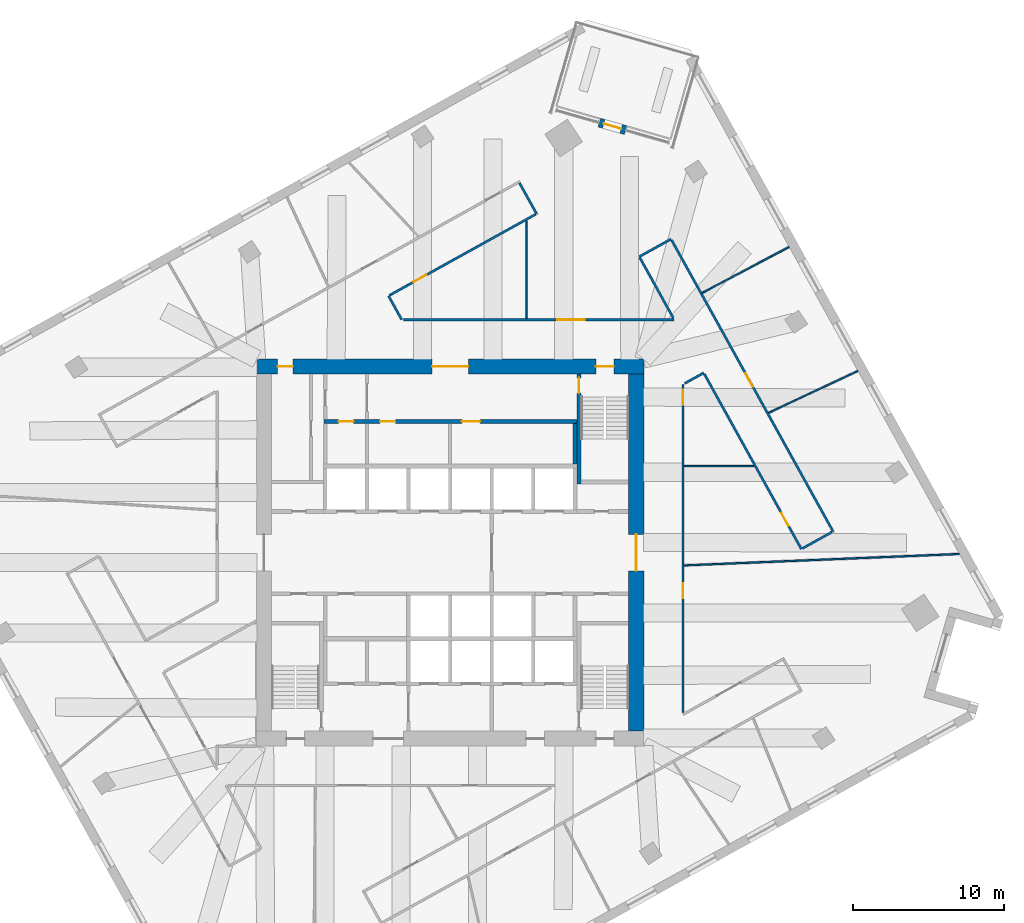
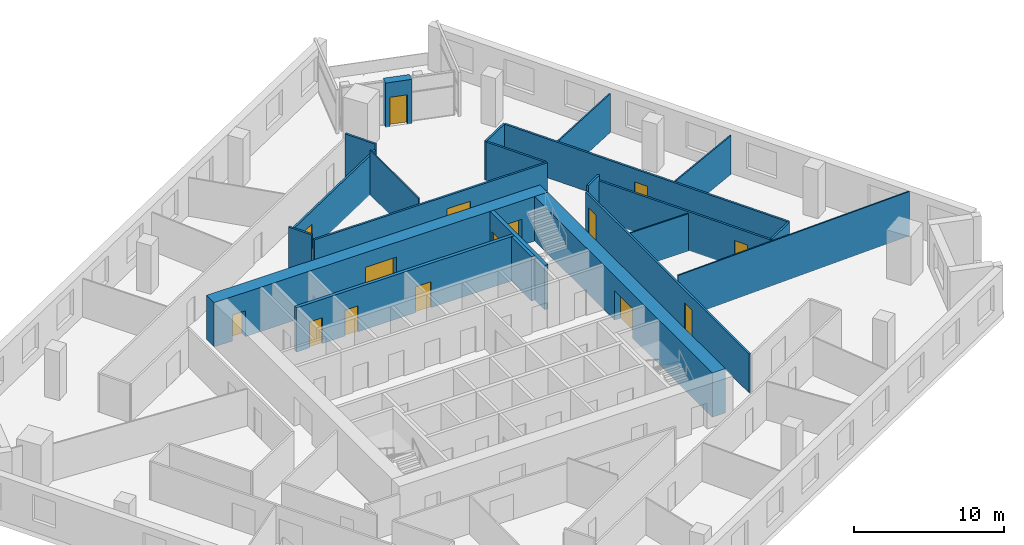
# One storey, part 8 of 11: 22 walls, 15 doors, 15 openings.
"""IFC4 building model written with IfcOpenShell, lengths in metres."""

import ifcopenshell
import ifcopenshell.guid

model = None  # the IFC model being written
_history = None  # IfcOwnerHistory: only IFC2X3 demands one
_inside = {}  # id of a spatial element -> (the spatial element, [elements in it])
_under = {}  # id of a project, library or spatial element -> (it, [spatial elements below it])
_declared = {}  # id of a project -> (the project, [libraries it declares])
_typed = {}  # id of a type object -> (the type object, [elements of that type])
_made_of = {}  # id of a material, layer set ... -> (it, [elements and type objects made of it])


def new_model(schema):
    """Start an empty IFC model of exactly this schema.

    Asked for "IFC4X3", IfcOpenShell would pick the latest addendum, in which some entities
    have other attributes; the version numbers below select the first issue.
    IFC2X3 requires an IfcOwnerHistory on every rooted entity: one is made here for all.
    """
    global model, _history
    if schema == "IFC4X3":
        model = ifcopenshell.file(schema_version=(4, 3, 0, 0))
    else:
        model = ifcopenshell.file(schema=schema)
    _inside.clear()
    _under.clear()
    _declared.clear()
    _typed.clear()
    _made_of.clear()
    _history = None
    if model.schema == "IFC2X3":
        org = make("IfcOrganization", Name="unknown")
        user = make(
            "IfcPersonAndOrganization",
            ThePerson=make("IfcPerson", FamilyName="unknown"),
            TheOrganization=org,
        )
        app = make(
            "IfcApplication",
            ApplicationDeveloper=org,
            Version="unknown",
            ApplicationFullName="unknown",
            ApplicationIdentifier="unknown",
        )
        _history = make(
            "IfcOwnerHistory",
            OwningUser=user,
            OwningApplication=app,
            ChangeAction="ADDED",
            CreationDate=0,
        )
    return model


def make(cls, **values):
    """One entity of the class cls with the attributes given. An attribute that is None is left unset."""
    return model.create_entity(
        cls, **{name: value for name, value in values.items() if value is not None}
    )


def rooted(cls, **values):
    """An entity with a GlobalId (a new one), such as an element, a storey or a relation."""
    return make(cls, GlobalId=ifcopenshell.guid.new(), OwnerHistory=_history, **values)


def si_unit(unit_type, name, prefix=None):
    """IfcSIUnit, for example si_unit("LENGTHUNIT", "METRE", prefix="MILLI")."""
    return make("IfcSIUnit", UnitType=unit_type, Prefix=prefix, Name=name)


def assignment(units):
    """IfcUnitAssignment: the units of a project."""
    return None if units is None else make("IfcUnitAssignment", Units=units)


def point(xyz):
    """IfcCartesianPoint."""
    return None if xyz is None else make("IfcCartesianPoint", Coordinates=xyz)


def direction(xyz):
    """IfcDirection."""
    return None if xyz is None else make("IfcDirection", DirectionRatios=xyz)


def frame(location, z_axis=None, x_axis=None):
    """IfcAxis2Placement3D, a coordinate frame: its origin and axes. An axis left out is left unset."""
    return make(
        "IfcAxis2Placement3D",
        Location=point(location),
        Axis=direction(z_axis),
        RefDirection=direction(x_axis),
    )


def frame_2d(location, x_axis=None):
    """IfcAxis2Placement2D, a coordinate frame in the plane: its origin and x axis."""
    return make(
        "IfcAxis2Placement2D", Location=point(location), RefDirection=direction(x_axis)
    )


def origin():
    """The frame at (0, 0, 0) with its axes left unset."""
    return frame((0.0, 0.0, 0.0))


def place(relative_to, where):
    """IfcLocalPlacement: puts the frame where relative to a parent placement (None: the world)."""
    return make(
        "IfcLocalPlacement", PlacementRelTo=relative_to, RelativePlacement=where
    )


def context(
    kind, dimensions, precision=None, world=None, true_north=None, identifier=None
):
    """IfcGeometricRepresentationContext, for example the 3D "Model" context."""
    return make(
        "IfcGeometricRepresentationContext",
        ContextIdentifier=identifier,
        ContextType=kind,
        CoordinateSpaceDimension=dimensions,
        Precision=precision,
        WorldCoordinateSystem=world,
        TrueNorth=true_north,
    )


def subcontext(parent, identifier, kind, view, scale=None):
    """IfcGeometricRepresentationSubContext, for example "Body" below "Model"."""
    return make(
        "IfcGeometricRepresentationSubContext",
        ContextIdentifier=identifier,
        ContextType=kind,
        ParentContext=parent,
        TargetScale=scale,
        TargetView=view,
    )


def project(units=None, contexts=None):
    """IfcProject with its units and contexts."""
    return rooted(
        "IfcProject",
        Name="project",
        RepresentationContexts=contexts,
        UnitsInContext=assignment(units),
    )


def spatial(cls, under=None, at=None, **own):
    """A site, building, storey or space (cls), placed at a placement, below another one or the project."""
    s = rooted(cls, ObjectPlacement=at, **own)
    if under is not None:
        _under.setdefault(under.id(), (under, []))[1].append(s)
    return s


def profile(cls, at=None, kind="AREA", **sizes):
    """A parametric profile (cls). Its sizes go by their IFC names, for example OverallWidth=200.0."""
    return make(cls, ProfileType=kind, Position=at, **sizes)


def rectangle(**sizes):
    """IfcRectangleProfileDef."""
    return profile("IfcRectangleProfileDef", **sizes)


def extrude(swept, where, along, depth):
    """IfcExtrudedAreaSolid: the profile swept, set in the frame where, extruded along a direction by depth."""
    return make(
        "IfcExtrudedAreaSolid",
        SweptArea=swept,
        Position=where,
        ExtrudedDirection=direction(along),
        Depth=depth,
    )


def shape(context_of_items, identifier, shape_type, items):
    """IfcShapeRepresentation: the items that make up one representation, for example the "Body"."""
    return make(
        "IfcShapeRepresentation",
        ContextOfItems=context_of_items,
        RepresentationIdentifier=identifier,
        RepresentationType=shape_type,
        Items=items,
    )


def material(Name=None, Category=None):
    """IfcMaterial."""
    return make("IfcMaterial", Name=Name, Category=Category)


def layer(
    of_material, thickness, ventilated=None, Name=None, Category=None, Priority=None
):
    """IfcMaterialLayer: one layer of a wall or slab, of a material (None: an air gap)."""
    return make(
        "IfcMaterialLayer",
        Material=of_material,
        LayerThickness=thickness,
        IsVentilated=ventilated,
        Name=Name,
        Category=Category,
        Priority=Priority,
    )


def layer_set(layers, Name=None):
    """IfcMaterialLayerSet."""
    return make("IfcMaterialLayerSet", MaterialLayers=layers, LayerSetName=Name)


def made_of(thing, what):
    """Note that an element or type object is made of a material, layer set ...; save() writes the relation."""
    if what is not None:
        _made_of.setdefault(what.id(), (what, []))[1].append(thing)
    return thing


def type_object(cls, material=None, **own):
    """A type object (cls), such as IfcWallType, which elements share."""
    return made_of(rooted(cls, **own), material)


def element(
    cls,
    number,
    at=None,
    inside=None,
    cuts=None,
    type_object=None,
    material=None,
    context=None,
    identifier="Body",
    shape_type=None,
    held_by="IfcProductDefinitionShape",
    body=None,
    shapes=None,
    **own,
):
    """One element of the class cls, such as IfcWall. Its Tag is "e" and its number.

    at: its placement. inside: the storey or other place that contains it. cuts: it is an
    opening in that element (IfcRelVoidsElement). A single representation is given by context,
    identifier, shape_type and body (its items); several are given by shapes. held_by: the class
    of the entity that holds the representations. save() writes the other relations.
    """
    e = rooted(cls, Tag="e%d" % number, ObjectPlacement=at, **own)
    if body is not None:
        shapes = [shape(context, identifier, shape_type, body)]
    if shapes is not None:
        e.Representation = make(held_by, Representations=shapes)
    if inside is not None:
        _inside.setdefault(inside.id(), (inside, []))[1].append(e)
    if cuts is not None:
        rooted(
            "IfcRelVoidsElement", RelatingBuildingElement=cuts, RelatedOpeningElement=e
        )
    if type_object is not None:
        _typed.setdefault(type_object.id(), (type_object, []))[1].append(e)
    return made_of(e, material)


def fill(opening, filler):
    """IfcRelFillsElement: the door or window that sits in an opening."""
    return rooted(
        "IfcRelFillsElement",
        RelatingOpeningElement=opening,
        RelatedBuildingElement=filler,
    )


def aggregate(whole, parts):
    """IfcRelAggregates: a whole, such as a stair, and the parts it consists of."""
    return rooted("IfcRelAggregates", RelatingObject=whole, RelatedObjects=parts)


def save(model, path):
    """Write the relations noted so far, then the file.

    IfcRelAggregates (storeys below a building ...), IfcRelContainedInSpatialStructure (elements
    in a storey), IfcRelDefinesByType, IfcRelAssociatesMaterial and IfcRelDeclares: one each for
    every whole, place, type object, material and project.
    """
    for whole, parts in _under.values():
        aggregate(whole, parts)
    for where, things in _inside.values():
        rooted(
            "IfcRelContainedInSpatialStructure",
            RelatedElements=things,
            RelatingStructure=where,
        )
    for kind, things in _typed.values():
        rooted("IfcRelDefinesByType", RelatedObjects=things, RelatingType=kind)
    for what, things in _made_of.values():
        rooted("IfcRelAssociatesMaterial", RelatedObjects=things, RelatingMaterial=what)
    for by, libraries in _declared.values():
        rooted("IfcRelDeclares", RelatingContext=by, RelatedDefinitions=libraries)
    model.write(path)


model = new_model("IFC4")

# Units and contexts
model_context = context("Model", 3, precision=1e-05, world=origin(), true_north=direction((0.0, 1.0)))
body_context = subcontext(model_context, "Body", "Model", "MODEL_VIEW")
ifc_project = project(units=[si_unit("LENGTHUNIT", "METRE"), si_unit("AREAUNIT", "SQUARE_METRE"), si_unit("VOLUMEUNIT", "CUBIC_METRE"), si_unit("PLANEANGLEUNIT", "RADIAN"), si_unit("MASSUNIT", "GRAM", prefix="KILO")], contexts=[model_context])

# Site, building, storey
site_placement = place(None, origin())
site = spatial("IfcSite", under=ifc_project, at=site_placement, CompositionType="ELEMENT")
building_placement = place(site_placement, origin())
building = spatial("IfcBuilding", under=site, at=building_placement, Name="Dilmun Exchange Tower", CompositionType="ELEMENT")
storey_placement = place(building_placement, frame((0.0, 0.0, 135.699951171875)))
storey = spatial("IfcBuildingStorey", under=building, at=storey_placement, Name="L31", CompositionType="ELEMENT", Elevation=135.699951171875)

# Wall
ifc_material_1 = material(Name="Concrete C40/50", Category="concrete")
ifc_layer_1 = layer(ifc_material_1, 0.25)
ifc_layer_set_1 = layer_set([ifc_layer_1], Name="Concrete C40/50")
wall_type_1 = type_object("IfcWallType", Name="Core partition wall 250", PredefinedType="PARTITIONING", material=ifc_layer_set_1)
wall_1_placement = place(storey_placement, frame((8.25, 5.85498046875, 0.0), z_axis=(0.0, 0.0, 1.0), x_axis=(0.0, 1.0, 0.0)))
element("IfcWall", 1, at=wall_1_placement, inside=storey, type_object=wall_type_1, Name="L31 core partition wall 19", PredefinedType="PARTITIONING", context=body_context, shape_type="SweptSolid", body=[
    extrude(rectangle(XDim=2.68994140625, YDim=0.25, at=frame_2d((1.344970703125, 0.0))), origin(), (0.0, 0.0, 1.0), 3.60009765625),
])

# Wall, openings, doors
wall_2_placement = place(storey_placement, frame((-8.35009765625, 8.675048828125, 0.0), z_axis=(0.0, 0.0, 1.0), x_axis=(1.0, 0.0, 0.0)))
wall_2 = element("IfcWall", 2, at=wall_2_placement, inside=storey, type_object=wall_type_1, Name="L31 core partition wall 20", PredefinedType="PARTITIONING", context=body_context, shape_type="SweptSolid", body=[
    extrude(rectangle(XDim=16.72021484375, YDim=0.25, at=frame_2d((8.360107421875, 0.0))), origin(), (0.0, 0.0, 1.0), 3.60009765625),
])
opening_1_placement = place(wall_2_placement, frame((0.97509765625, 0.0, 0.0)))
opening_1 = element("IfcOpeningElement", 3, at=opening_1_placement, cuts=wall_2, Name="Opening CD4", PredefinedType="OPENING", context=body_context, shape_type="SweptSolid", body=[
    extrude(rectangle(XDim=1.0, YDim=2.10009765625, at=frame_2d((0.5, 1.050048828125))), frame((0.0, 0.135009765625, 0.0), z_axis=(0.0, -1.0, 0.0), x_axis=(1.0, 0.0, 0.0)), (0.0, 0.0, 1.0), 0.27001953125),
])
opening_2_placement = place(wall_2_placement, frame((3.72509765625, 0.0, 0.0)))
opening_2 = element("IfcOpeningElement", 4, at=opening_2_placement, cuts=wall_2, Name="Opening CD4", PredefinedType="OPENING", context=body_context, shape_type="SweptSolid", body=[
    extrude(rectangle(XDim=1.0, YDim=2.10009765625, at=frame_2d((0.5, 1.050048828125))), frame((0.0, 0.135009765625, 0.0), z_axis=(0.0, -1.0, 0.0), x_axis=(1.0, 0.0, 0.0)), (0.0, 0.0, 1.0), 0.27001953125),
])
opening_3_placement = place(wall_2_placement, frame((9.125, 0.0, 0.0)))
opening_3 = element("IfcOpeningElement", 5, at=opening_3_placement, cuts=wall_2, Name="Opening CD3", PredefinedType="OPENING", context=body_context, shape_type="SweptSolid", body=[
    extrude(rectangle(XDim=1.199951171875, YDim=2.10009765625, at=frame_2d((0.60009765625, 1.050048828125))), frame((0.0, 0.135009765625, 0.0), z_axis=(0.0, -1.0, 0.0), x_axis=(1.0, 0.0, 0.0)), (0.0, 0.0, 1.0), 0.27001953125),
])
ifc_material_2 = material(Name="Fire-rated steel door set", Category="steel")
door_type_1 = type_object("IfcDoorType", Name="Core room door 1000x2100", OperationType="SINGLE_SWING_LEFT", PredefinedType="DOOR", material=ifc_material_2)
door_1_placement = place(opening_1_placement, origin())
door_1 = element("IfcDoor", 6, at=door_1_placement, inside=storey, type_object=door_type_1, Name="L31 door Server room", OperationType="SINGLE_SWING_RIGHT", OverallHeight=2.10009765625, OverallWidth=1.0, PredefinedType="DOOR", context=body_context, shape_type="SweptSolid", body=[
    extrude(rectangle(XDim=1.0, YDim=2.10009765625, at=frame_2d((0.5, 1.050048828125))), frame((0.0, 0.02490234375, 0.0), z_axis=(0.0, -1.0, 0.0), x_axis=(1.0, 0.0, 0.0)), (0.0, 0.0, 1.0), 0.050048828125),
])
fill(opening_1, door_1)
door_2_placement = place(opening_2_placement, origin())
door_2 = element("IfcDoor", 7, at=door_2_placement, inside=storey, type_object=door_type_1, Name="L31 door Print and mail room", OperationType="SINGLE_SWING_RIGHT", OverallHeight=2.10009765625, OverallWidth=1.0, PredefinedType="DOOR", context=body_context, shape_type="SweptSolid", body=[
    extrude(rectangle(XDim=1.0, YDim=2.10009765625, at=frame_2d((0.5, 1.050048828125))), frame((0.0, 0.02490234375, 0.0), z_axis=(0.0, -1.0, 0.0), x_axis=(1.0, 0.0, 0.0)), (0.0, 0.0, 1.0), 0.050048828125),
])
fill(opening_2, door_2)
door_type_2 = type_object("IfcDoorType", Name="Stair exit door 1200x2100", OperationType="SINGLE_SWING_LEFT", PredefinedType="DOOR", material=ifc_material_2)
door_3_placement = place(opening_3_placement, origin())
door_3 = element("IfcDoor", 8, at=door_3_placement, inside=storey, type_object=door_type_2, Name="L31 door Building management office", OperationType="SINGLE_SWING_LEFT", OverallHeight=2.10009765625, OverallWidth=1.199951171875, PredefinedType="DOOR", context=body_context, shape_type="SweptSolid", body=[
    extrude(rectangle(XDim=1.199951171875, YDim=2.10009765625, at=frame_2d((0.60009765625, 1.050048828125))), frame((0.0, 0.02490234375, 0.0), z_axis=(0.0, -1.0, 0.0), x_axis=(1.0, 0.0, 0.0)), (0.0, 0.0, 1.0), 0.050048828125),
])
fill(opening_3, door_3)

ifc_material_3 = material(Name="Concrete C70/85", Category="concrete")
ifc_layer_2 = layer(ifc_material_3, 1.0)
ifc_layer_set_2 = layer_set([ifc_layer_2], Name="Concrete C70/85")
wall_type_2 = type_object("IfcWallType", Name="Core shear wall 1000 Concrete C70/85", PredefinedType="SHEAR", material=ifc_layer_set_2)
wall_3_placement = place(storey_placement, frame((-12.800048828125, 12.300048828125, 0.0), z_axis=(0.0, 0.0, 1.0), x_axis=(1.0, 0.0, 0.0)))
wall_3 = element("IfcWall", 9, at=wall_3_placement, inside=storey, type_object=wall_type_2, Name="L31 core shear wall N", PredefinedType="SHEAR", context=body_context, shape_type="SweptSolid", body=[
    extrude(rectangle(XDim=25.60009765625, YDim=1.0, at=frame_2d((12.800048828125, 0.0))), origin(), (0.0, 0.0, 1.0), 3.60009765625),
])
opening_4_placement = place(wall_3_placement, frame((11.60009765625, 0.0, 0.0)))
opening_4 = element("IfcOpeningElement", 10, at=opening_4_placement, cuts=wall_3, Name="Opening CD1", PredefinedType="OPENING", context=body_context, shape_type="SweptSolid", body=[
    extrude(rectangle(XDim=2.39990234375, YDim=2.39990234375, at=frame_2d((1.199951171875, 1.199951171875))), frame((0.0, 0.510009765625, 0.0), z_axis=(0.0, -1.0, 0.0), x_axis=(1.0, 0.0, 0.0)), (0.0, 0.0, 1.0), 1.02001953125),
])
opening_5_placement = place(wall_3_placement, frame((22.425048828125, 0.0, 0.0)))
opening_5 = element("IfcOpeningElement", 11, at=opening_5_placement, cuts=wall_3, Name="Opening CD3", PredefinedType="OPENING", context=body_context, shape_type="SweptSolid", body=[
    extrude(rectangle(XDim=1.199951171875, YDim=2.10009765625, at=frame_2d((0.60009765625, 1.050048828125))), frame((0.0, 0.510009765625, 0.0), z_axis=(0.0, -1.0, 0.0), x_axis=(1.0, 0.0, 0.0)), (0.0, 0.0, 1.0), 1.02001953125),
])
opening_6_placement = place(wall_3_placement, frame((1.39990234375, 0.0, 0.0)))
opening_6 = element("IfcOpeningElement", 12, at=opening_6_placement, cuts=wall_3, Name="Opening CD4", PredefinedType="OPENING", context=body_context, shape_type="SweptSolid", body=[
    extrude(rectangle(XDim=1.0, YDim=2.10009765625, at=frame_2d((0.5, 1.050048828125))), frame((0.0, 0.510009765625, 0.0), z_axis=(0.0, -1.0, 0.0), x_axis=(1.0, 0.0, 0.0)), (0.0, 0.0, 1.0), 1.02001953125),
])
door_type_3 = type_object("IfcDoorType", Name="Core lobby door 2400x2400", OperationType="DOUBLE_DOOR_DOUBLE_SWING", PredefinedType="DOOR", material=ifc_material_2)
door_4_placement = place(opening_4_placement, origin())
door_4 = element("IfcDoor", 13, at=door_4_placement, inside=storey, type_object=door_type_3, Name="L31 door North lift lobby", OperationType="SINGLE_SWING_LEFT", OverallHeight=2.39990234375, OverallWidth=2.39990234375, PredefinedType="DOOR", context=body_context, shape_type="SweptSolid", body=[
    extrude(rectangle(XDim=2.39990234375, YDim=2.39990234375, at=frame_2d((1.199951171875, 1.199951171875))), frame((0.0, 0.02490234375, 0.0), z_axis=(0.0, -1.0, 0.0), x_axis=(1.0, 0.0, 0.0)), (0.0, 0.0, 1.0), 0.050048828125),
])
fill(opening_4, door_4)
door_5_placement = place(opening_6_placement, origin())
door_5 = element("IfcDoor", 14, at=door_5_placement, inside=storey, type_object=door_type_1, Name="L31 door North-west core rooms", OperationType="SINGLE_SWING_LEFT", OverallHeight=2.10009765625, OverallWidth=1.0, PredefinedType="DOOR", context=body_context, shape_type="SweptSolid", body=[
    extrude(rectangle(XDim=1.0, YDim=2.10009765625, at=frame_2d((0.5, 1.050048828125))), frame((0.0, 0.02490234375, 0.0), z_axis=(0.0, -1.0, 0.0), x_axis=(1.0, 0.0, 0.0)), (0.0, 0.0, 1.0), 0.050048828125),
])
fill(opening_6, door_5)
door_6_placement = place(opening_5_placement, origin())
door_6 = element("IfcDoor", 15, at=door_6_placement, inside=storey, type_object=door_type_2, Name="L31 door Stair ST1", OperationType="SINGLE_SWING_LEFT", OverallHeight=2.10009765625, OverallWidth=1.199951171875, PredefinedType="DOOR", context=body_context, shape_type="SweptSolid", body=[
    extrude(rectangle(XDim=1.199951171875, YDim=2.10009765625, at=frame_2d((0.60009765625, 1.050048828125))), frame((0.0, 0.02490234375, 0.0), z_axis=(0.0, -1.0, 0.0), x_axis=(1.0, 0.0, 0.0)), (0.0, 0.0, 1.0), 0.050048828125),
])
fill(opening_5, door_6)

# Wall, opening, door
wall_4_placement = place(storey_placement, frame((12.300048828125, -11.800048828125, 0.0), z_axis=(0.0, 0.0, 1.0), x_axis=(0.0, 1.0, 0.0)))
wall_4 = element("IfcWall", 16, at=wall_4_placement, inside=storey, type_object=wall_type_2, Name="L31 core shear wall E", PredefinedType="SHEAR", context=body_context, shape_type="SweptSolid", body=[
    extrude(rectangle(XDim=23.60009765625, YDim=1.0, at=frame_2d((11.800048828125, 0.0))), origin(), (0.0, 0.0, 1.0), 3.60009765625),
])
opening_7_placement = place(wall_4_placement, frame((10.60009765625, 0.0, 0.0)))
opening_7 = element("IfcOpeningElement", 17, at=opening_7_placement, cuts=wall_4, Name="Opening CD1", PredefinedType="OPENING", context=body_context, shape_type="SweptSolid", body=[
    extrude(rectangle(XDim=2.39990234375, YDim=2.39990234375, at=frame_2d((1.199951171875, 1.199951171875))), frame((0.0, 0.510009765625, 0.0), z_axis=(0.0, -1.0, 0.0), x_axis=(1.0, 0.0, 0.0)), (0.0, 0.0, 1.0), 1.02001953125),
])
door_7_placement = place(opening_7_placement, origin())
door_7 = element("IfcDoor", 18, at=door_7_placement, inside=storey, type_object=door_type_3, Name="L31 door Central lift lobby", OperationType="SINGLE_SWING_LEFT", OverallHeight=2.39990234375, OverallWidth=2.39990234375, PredefinedType="DOOR", context=body_context, shape_type="SweptSolid", body=[
    extrude(rectangle(XDim=2.39990234375, YDim=2.39990234375, at=frame_2d((1.199951171875, 1.199951171875))), frame((0.0, 0.02490234375, 0.0), z_axis=(0.0, -1.0, 0.0), x_axis=(1.0, 0.0, 0.0)), (0.0, 0.0, 1.0), 0.050048828125),
])
fill(opening_7, door_7)

# Wall
ifc_material_4 = material(Name="Corridor wall 150")
ifc_layer_3 = layer(ifc_material_4, 0.14990234375)
ifc_layer_set_3 = layer_set([ifc_layer_3], Name="Corridor wall 150")
wall_type_3 = type_object("IfcWallType", Name="Corridor wall 150", PredefinedType="PARTITIONING", material=ifc_layer_set_3)
wall_5_placement = place(storey_placement, frame((-4.073974609375, 16.972900390625, 0.0), z_axis=(0.0, 0.0, 1.0), x_axis=(0.484870548803, -0.874585931114, 0.0)))
element("IfcWall", 19, at=wall_5_placement, inside=storey, type_object=wall_type_3, Name="Corridor wall", PredefinedType="PARTITIONING", context=body_context, shape_type="SweptSolid", body=[
    extrude(rectangle(XDim=1.798583984375, YDim=0.14990234375, at=frame_2d((0.8994140625, 0.0))), origin(), (0.0, 0.0, 1.0), 3.60009765625),
])

# Wall, opening, door
wall_6_placement = place(storey_placement, frame((-4.00830078125, 17.009521484375, 0.0), z_axis=(0.0, 0.0, 1.0), x_axis=(0.874611645774, 0.484824163049, 0.0)))
wall_6 = element("IfcWall", 20, at=wall_6_placement, inside=storey, type_object=wall_type_3, Name="Corridor wall", PredefinedType="PARTITIONING", context=body_context, shape_type="SweptSolid", body=[
    extrude(rectangle(XDim=11.041259765625, YDim=0.14990234375, at=frame_2d((5.5205078125, 0.0))), origin(), (0.0, 0.0, 1.0), 3.150146484375),
])
opening_8_placement = place(wall_6_placement, frame((1.800048828125, 0.0, 0.0)))
opening_8 = element("IfcOpeningElement", 21, at=opening_8_placement, cuts=wall_6, Name="Opening TF31-D12", PredefinedType="OPENING", context=body_context, shape_type="SweptSolid", body=[
    extrude(rectangle(XDim=1.0, YDim=2.10009765625, at=frame_2d((0.5, 1.050048828125))), frame((0.0, 0.0849609375, 0.0), z_axis=(0.0, -1.0, 0.0), x_axis=(1.0, 0.0, 0.0)), (0.0, 0.0, 1.0), 0.169921875),
])
ifc_material_5 = material(Name="Fire door 1000 x 2100")
door_type_4 = type_object("IfcDoorType", Name="Fire door 1000 x 2100", OperationType="NOTDEFINED", PredefinedType="DOOR", material=ifc_material_5)
door_8_placement = place(opening_8_placement, frame((1.0, 0.0, 0.0), z_axis=(0.0, 0.0, 1.0), x_axis=(-1.0, 0.0, 0.0)))
door_8 = element("IfcDoor", 22, at=door_8_placement, inside=storey, type_object=door_type_4, Name="Door TF31-D12", OperationType="SINGLE_SWING_RIGHT", OverallHeight=2.10009765625, OverallWidth=1.0, PredefinedType="DOOR", context=body_context, shape_type="SweptSolid", body=[
    extrude(rectangle(XDim=1.0, YDim=2.10009765625, at=frame_2d((0.5, 1.050048828125))), frame((0.0, 0.02490234375, 0.0), z_axis=(0.0, -1.0, 0.0), x_axis=(1.0, 0.0, 0.0)), (0.0, 0.0, 1.0), 0.050048828125),
])
fill(opening_8, door_8)

wall_7_placement = place(storey_placement, frame((-3.07470703125, 15.39990234375, 0.0), z_axis=(0.0, 0.0, 1.0), x_axis=(1.0, 0.0, 0.0)))
wall_7 = element("IfcWall", 23, at=wall_7_placement, inside=storey, type_object=wall_type_3, Name="Corridor wall", PredefinedType="PARTITIONING", context=body_context, shape_type="SweptSolid", body=[
    extrude(rectangle(XDim=17.8857421875, YDim=0.14990234375, at=frame_2d((8.94287109375, 0.0))), origin(), (0.0, 0.0, 1.0), 3.150146484375),
])
opening_9_placement = place(wall_7_placement, frame((10.169921875, 0.0, 0.0)))
opening_9 = element("IfcOpeningElement", 24, at=opening_9_placement, cuts=wall_7, Name="Opening TF31-D15", PredefinedType="OPENING", context=body_context, shape_type="SweptSolid", body=[
    extrude(rectangle(XDim=1.800048828125, YDim=2.10009765625, at=frame_2d((0.89990234375, 1.050048828125))), frame((0.0, 0.0849609375, 0.0), z_axis=(0.0, -1.0, 0.0), x_axis=(1.0, 0.0, 0.0)), (0.0, 0.0, 1.0), 0.169921875),
])
ifc_material_6 = material(Name="Fire door pair 1800 x 2100")
door_type_5 = type_object("IfcDoorType", Name="Fire door pair 1800 x 2100", OperationType="NOTDEFINED", PredefinedType="DOOR", material=ifc_material_6)
door_9_placement = place(opening_9_placement, origin())
door_9 = element("IfcDoor", 25, at=door_9_placement, inside=storey, type_object=door_type_5, Name="Door TF31-D15", OperationType="DOUBLE_DOOR_SINGLE_SWING", OverallHeight=2.10009765625, OverallWidth=1.800048828125, PredefinedType="DOOR", context=body_context, shape_type="SweptSolid", body=[
    extrude(rectangle(XDim=1.800048828125, YDim=2.10009765625, at=frame_2d((0.89990234375, 1.050048828125))), frame((0.0, 0.02490234375, 0.0), z_axis=(0.0, -1.0, 0.0), x_axis=(1.0, 0.0, 0.0)), (0.0, 0.0, 1.0), 0.050048828125),
])
fill(opening_9, door_9)

# Walls
wall_8_placement = place(storey_placement, frame((4.58642578125, 24.432373046875, 0.0), z_axis=(0.0, 0.0, 1.0), x_axis=(0.484983092102, -0.874523527628, 0.0)))
element("IfcWall", 26, at=wall_8_placement, inside=storey, type_object=wall_type_3, Name="Corridor wall", PredefinedType="PARTITIONING", context=body_context, shape_type="SweptSolid", body=[
    extrude(rectangle(XDim=2.3251953125, YDim=0.14990234375, at=frame_2d((1.16259765625, 0.0))), origin(), (0.0, 0.0, 1.0), 3.60009765625),
])
wall_9_placement = place(storey_placement, frame((12.50390625, 19.56298828125, 0.0), z_axis=(0.0, 0.0, 1.0), x_axis=(0.874703778473, 0.484657920522, 0.0)))
element("IfcWall", 27, at=wall_9_placement, inside=storey, type_object=wall_type_3, Name="Corridor wall", PredefinedType="PARTITIONING", context=body_context, shape_type="SweptSolid", body=[
    extrude(rectangle(XDim=2.39990234375, YDim=0.14990234375, at=frame_2d((1.199951171875, 0.0))), origin(), (0.0, 0.0, 1.0), 3.150146484375),
])
wall_10_placement = place(storey_placement, frame((12.540283203125, 19.497314453125, 0.0), z_axis=(0.0, 0.0, 1.0), x_axis=(0.48474201542, -0.874657177691, 0.0)))
element("IfcWall", 28, at=wall_10_placement, inside=storey, type_object=wall_type_3, Name="Corridor wall", PredefinedType="PARTITIONING", context=body_context, shape_type="SweptSolid", body=[
    extrude(rectangle(XDim=4.55712890625, YDim=0.14990234375, at=frame_2d((2.278564453125, 0.0))), origin(), (0.0, 0.0, 1.0), 3.150146484375),
])

# Wall, opening, door
wall_11_placement = place(storey_placement, frame((14.639404296875, 20.660400390625, 0.0), z_axis=(0.0, 0.0, 1.0), x_axis=(0.484803020703, -0.874623365294, 0.0)))
wall_11 = element("IfcWall", 29, at=wall_11_placement, inside=storey, type_object=wall_type_3, Name="Corridor wall", PredefinedType="PARTITIONING", context=body_context, shape_type="SweptSolid", body=[
    extrude(rectangle(XDim=22.020263671875, YDim=0.14990234375, at=frame_2d((11.01025390625, 0.0))), origin(), (0.0, 0.0, 1.0), 3.150146484375),
])
opening_10_placement = place(wall_11_placement, frame((10.08251953125, 0.0, 0.0)))
opening_10 = element("IfcOpeningElement", 30, at=opening_10_placement, cuts=wall_11, Name="Opening TF31-D20", PredefinedType="OPENING", context=body_context, shape_type="SweptSolid", body=[
    extrude(rectangle(XDim=1.0, YDim=2.10009765625, at=frame_2d((0.5, 1.050048828125))), frame((0.0, 0.0849609375, 0.0), z_axis=(0.0, -1.0, 0.0), x_axis=(1.0, 0.0, 0.0)), (0.0, 0.0, 1.0), 0.169921875),
])
door_10_placement = place(opening_10_placement, origin())
door_10 = element("IfcDoor", 31, at=door_10_placement, inside=storey, type_object=door_type_4, Name="Door TF31-D20", OperationType="SINGLE_SWING_RIGHT", OverallHeight=2.10009765625, OverallWidth=1.0, PredefinedType="DOOR", context=body_context, shape_type="SweptSolid", body=[
    extrude(rectangle(XDim=1.0, YDim=2.10009765625, at=frame_2d((0.5, 1.050048828125))), frame((0.0, 0.02490234375, 0.0), z_axis=(0.0, -1.0, 0.0), x_axis=(1.0, 0.0, 0.0)), (0.0, 0.0, 1.0), 0.050048828125),
])
fill(opening_10, door_10)

# Wall, openings, doors
wall_12_placement = place(storey_placement, frame((15.39990234375, -10.567626953125, 0.0), z_axis=(0.0, 0.0, 1.0), x_axis=(0.0, 1.0, 0.0)))
wall_12 = element("IfcWall", 32, at=wall_12_placement, inside=storey, type_object=wall_type_3, Name="Corridor wall", PredefinedType="PARTITIONING", context=body_context, shape_type="SweptSolid", body=[
    extrude(rectangle(XDim=21.694580078125, YDim=0.14990234375, at=frame_2d((10.84716796875, 0.0))), origin(), (0.0, 0.0, 1.0), 3.150146484375),
])
opening_11_placement = place(wall_12_placement, frame((20.33349609375, 0.0, 0.0)))
opening_11 = element("IfcOpeningElement", 33, at=opening_11_placement, cuts=wall_12, Name="Opening TF31-D18", PredefinedType="OPENING", context=body_context, shape_type="SweptSolid", body=[
    extrude(rectangle(XDim=1.0, YDim=2.10009765625, at=frame_2d((0.5, 1.050048828125))), frame((0.0, 0.0849609375, 0.0), z_axis=(0.0, -1.0, 0.0), x_axis=(1.0, 0.0, 0.0)), (0.0, 0.0, 1.0), 0.169921875),
])
opening_12_placement = place(wall_12_placement, frame((7.550048828125, 0.0, 0.0)))
opening_12 = element("IfcOpeningElement", 34, at=opening_12_placement, cuts=wall_12, Name="Opening TF31-D23", PredefinedType="OPENING", context=body_context, shape_type="SweptSolid", body=[
    extrude(rectangle(XDim=1.0, YDim=2.10009765625, at=frame_2d((0.5, 1.050048828125))), frame((0.0, 0.0849609375, 0.0), z_axis=(0.0, -1.0, 0.0), x_axis=(1.0, 0.0, 0.0)), (0.0, 0.0, 1.0), 0.169921875),
])
door_11_placement = place(opening_11_placement, frame((1.0, 0.0, 0.0), z_axis=(0.0, 0.0, 1.0), x_axis=(-1.0, 0.0, 0.0)))
door_11 = element("IfcDoor", 35, at=door_11_placement, inside=storey, type_object=door_type_4, Name="Door TF31-D18", OperationType="SINGLE_SWING_LEFT", OverallHeight=2.10009765625, OverallWidth=1.0, PredefinedType="DOOR", context=body_context, shape_type="SweptSolid", body=[
    extrude(rectangle(XDim=1.0, YDim=2.10009765625, at=frame_2d((0.5, 1.050048828125))), frame((0.0, 0.02490234375, 0.0), z_axis=(0.0, -1.0, 0.0), x_axis=(1.0, 0.0, 0.0)), (0.0, 0.0, 1.0), 0.050048828125),
])
fill(opening_11, door_11)
door_12_placement = place(opening_12_placement, frame((1.0, 0.0, 0.0), z_axis=(0.0, 0.0, 1.0), x_axis=(-1.0, 0.0, 0.0)))
door_12 = element("IfcDoor", 36, at=door_12_placement, inside=storey, type_object=door_type_4, Name="Door TF31-D23", OperationType="SINGLE_SWING_RIGHT", OverallHeight=2.10009765625, OverallWidth=1.0, PredefinedType="DOOR", context=body_context, shape_type="SweptSolid", body=[
    extrude(rectangle(XDim=1.0, YDim=2.10009765625, at=frame_2d((0.5, 1.050048828125))), frame((0.0, 0.02490234375, 0.0), z_axis=(0.0, -1.0, 0.0), x_axis=(1.0, 0.0, 0.0)), (0.0, 0.0, 1.0), 0.050048828125),
])
fill(opening_12, door_12)

# Wall
wall_13_placement = place(storey_placement, frame((15.511474609375, 11.188720703125, 0.0), z_axis=(0.0, 0.0, 1.0), x_axis=(0.874559677803, 0.484917900227, 0.0)))
element("IfcWall", 37, at=wall_13_placement, inside=storey, type_object=wall_type_3, Name="Corridor wall", PredefinedType="PARTITIONING", context=body_context, shape_type="SweptSolid", body=[
    extrude(rectangle(XDim=1.429931640625, YDim=0.14990234375, at=frame_2d((0.71484375, 0.0))), origin(), (0.0, 0.0, 1.0), 3.60009765625),
])

# Wall, opening, door
wall_14_placement = place(storey_placement, frame((16.79833984375, 11.81640625, 0.0), z_axis=(0.0, 0.0, 1.0), x_axis=(0.484762728721, -0.874645697893, 0.0)))
wall_14 = element("IfcWall", 38, at=wall_14_placement, inside=storey, type_object=wall_type_3, Name="Corridor wall", PredefinedType="PARTITIONING", context=body_context, shape_type="SweptSolid", body=[
    extrude(rectangle(XDim=13.239013671875, YDim=0.14990234375, at=frame_2d((6.61962890625, 0.0))), origin(), (0.0, 0.0, 1.0), 3.150146484375),
])
opening_13_placement = place(wall_14_placement, frame((10.502685546875, 0.0, 0.0)))
opening_13 = element("IfcOpeningElement", 39, at=opening_13_placement, cuts=wall_14, Name="Opening TF31-D21", PredefinedType="OPENING", context=body_context, shape_type="SweptSolid", body=[
    extrude(rectangle(XDim=1.0, YDim=2.10009765625, at=frame_2d((0.5, 1.050048828125))), frame((0.0, 0.0849609375, 0.0), z_axis=(0.0, -1.0, 0.0), x_axis=(1.0, 0.0, 0.0)), (0.0, 0.0, 1.0), 0.169921875),
])
door_13_placement = place(opening_13_placement, frame((1.0, 0.0, 0.0), z_axis=(0.0, 0.0, 1.0), x_axis=(-1.0, 0.0, 0.0)))
door_13 = element("IfcDoor", 40, at=door_13_placement, inside=storey, type_object=door_type_4, Name="Door TF31-D21", OperationType="SINGLE_SWING_RIGHT", OverallHeight=2.10009765625, OverallWidth=1.0, PredefinedType="DOOR", context=body_context, shape_type="SweptSolid", body=[
    extrude(rectangle(XDim=1.0, YDim=2.10009765625, at=frame_2d((0.5, 1.050048828125))), frame((0.0, 0.02490234375, 0.0), z_axis=(0.0, -1.0, 0.0), x_axis=(1.0, 0.0, 0.0)), (0.0, 0.0, 1.0), 0.050048828125),
])
fill(opening_13, door_13)

# Walls
wall_15_placement = place(storey_placement, frame((23.281494140625, 0.2734375, 0.0), z_axis=(0.0, 0.0, 1.0), x_axis=(0.874586823728, 0.484868938747, 0.0)))
element("IfcWall", 41, at=wall_15_placement, inside=storey, type_object=wall_type_3, Name="Corridor wall", PredefinedType="PARTITIONING", context=body_context, shape_type="SweptSolid", body=[
    extrude(rectangle(XDim=2.250244140625, YDim=0.14990234375, at=frame_2d((1.125, 0.0))), origin(), (0.0, 0.0, 1.0), 3.150146484375),
])
ifc_material_7 = material(Name="Partition 100")
ifc_layer_4 = layer(ifc_material_7, 0.10009765625)
ifc_layer_set_4 = layer_set([ifc_layer_4], Name="Partition 100")
wall_type_4 = type_object("IfcWallType", Name="Partition 100", PredefinedType="PARTITIONING", material=ifc_layer_set_4)
wall_16_placement = place(storey_placement, frame((5.044921875, 15.47509765625, 0.0), z_axis=(0.0, 0.0, 1.0), x_axis=(0.0, 1.0, 0.0)))
element("IfcWall", 42, at=wall_16_placement, inside=storey, type_object=wall_type_4, Name="Partition", PredefinedType="PARTITIONING", context=body_context, shape_type="SweptSolid", body=[
    extrude(rectangle(XDim=6.439453125, YDim=0.10009765625, at=frame_2d((3.2197265625, 0.0))), origin(), (0.0, 0.0, 1.0), 3.60009765625),
])
wall_17_placement = place(storey_placement, frame((15.47509765625, 5.716064453125, 0.0), z_axis=(0.0, 0.0, 1.0), x_axis=(1.0, 0.0, 0.0)))
element("IfcWall", 43, at=wall_17_placement, inside=storey, type_object=wall_type_4, Name="Partition", PredefinedType="PARTITIONING", context=body_context, shape_type="SweptSolid", body=[
    extrude(rectangle(XDim=4.59033203125, YDim=0.10009765625, at=frame_2d((2.295166015625, 0.0))), origin(), (0.0, 0.0, 1.0), 3.030029296875),
])
wall_18_placement = place(storey_placement, frame((15.47705078125, -0.8447265625, 0.0), z_axis=(0.0, 0.0, 1.0), x_axis=(0.999139523849, 0.041475437099, 0.0)))
element("IfcWall", 44, at=wall_18_placement, inside=storey, type_object=wall_type_4, Name="Partition", PredefinedType="PARTITIONING", context=body_context, shape_type="SweptSolid", body=[
    extrude(rectangle(XDim=18.20068359375, YDim=0.10009765625, at=frame_2d((9.100341796875, 0.0))), origin(), (0.0, 0.0, 1.0), 3.60009765625),
])
wall_19_placement = place(storey_placement, frame((16.662109375, 17.16845703125, 0.0), z_axis=(0.0, 0.0, 1.0), x_axis=(0.883911173827, 0.467654826538, 0.0)))
element("IfcWall", 45, at=wall_19_placement, inside=storey, type_object=wall_type_4, Name="Partition", PredefinedType="PARTITIONING", context=body_context, shape_type="SweptSolid", body=[
    extrude(rectangle(XDim=6.502685546875, YDim=0.10009765625, at=frame_2d((3.25146484375, 0.0))), origin(), (0.0, 0.0, 1.0), 3.150146484375),
])
wall_20_placement = place(storey_placement, frame((21.05810546875, 9.242431640625, 0.0), z_axis=(0.0, 0.0, 1.0), x_axis=(0.905003789347, 0.425403504062, 0.0)))
element("IfcWall", 46, at=wall_20_placement, inside=storey, type_object=wall_type_4, Name="Partition", PredefinedType="PARTITIONING", context=body_context, shape_type="SweptSolid", body=[
    extrude(rectangle(XDim=6.513916015625, YDim=0.10009765625, at=frame_2d((3.2568359375, 0.0))), origin(), (0.0, 0.0, 1.0), 3.150146484375),
])

# Wall, opening, door
ifc_material_8 = material(Name="Precast concrete C50/60", Category="concrete")
ifc_layer_5 = layer(ifc_material_8, 0.60009765625)
ifc_layer_set_5 = layer_set([ifc_layer_5], Name="Precast concrete C50/60")
wall_type_5 = type_object("IfcWallType", Name="Precast stone-clad wall 600", PredefinedType="STANDARD", material=ifc_layer_set_5)
wall_21_placement = place(storey_placement, frame((11.59375, 27.931640625, 0.0), z_axis=(0.0, 0.0, 1.0), x_axis=(-0.96127791106, 0.275580800688, 0.0)))
wall_21 = element("IfcWall", 47, at=wall_21_placement, inside=storey, type_object=wall_type_5, Name="Facade wall L31-01-D", PredefinedType="STANDARD", context=body_context, shape_type="SweptSolid", body=[
    extrude(rectangle(XDim=1.80029296875, YDim=0.60009765625, at=frame_2d((0.900146484375, 0.0))), origin(), (0.0, 0.0, 1.0), 3.60009765625),
])
opening_14_placement = place(wall_21_placement, frame((0.300048828125, 0.0, 0.0)))
opening_14 = element("IfcOpeningElement", 48, at=opening_14_placement, cuts=wall_21, Name="Opening GD-1", PredefinedType="OPENING", context=body_context, shape_type="SweptSolid", body=[
    extrude(rectangle(XDim=1.199951171875, YDim=2.39990234375, at=frame_2d((0.60009765625, 1.199951171875))), frame((0.0, 0.31005859375, 0.0), z_axis=(0.0, -1.0, 0.0), x_axis=(1.0, 0.0, 0.0)), (0.0, 0.0, 1.0), 0.6201171875),
])
ifc_material_9 = material(Name="Clear low-emissivity glass in aluminium frame", Category="aluminium")
door_type_6 = type_object("IfcDoorType", Name="Glazed garden door 1200 x 2400", OperationType="SINGLE_SWING_LEFT", PredefinedType="DOOR", material=ifc_material_9)
door_14_placement = place(opening_14_placement, origin())
door_14 = element("IfcDoor", 49, at=door_14_placement, inside=storey, type_object=door_type_6, Name="Garden terrace door", OperationType="SINGLE_SWING_LEFT", OverallHeight=2.39990234375, OverallWidth=1.199951171875, PredefinedType="DOOR", context=body_context, shape_type="SweptSolid", body=[
    extrude(rectangle(XDim=1.199951171875, YDim=2.39990234375, at=frame_2d((0.60009765625, 1.199951171875))), frame((0.0, 0.02490234375, 0.0), z_axis=(0.0, -1.0, 0.0), x_axis=(1.0, 0.0, 0.0)), (0.0, 0.0, 1.0), 0.050048828125),
])
fill(opening_14, door_14)

ifc_layer_6 = layer(ifc_material_1, 0.27490234375)
ifc_layer_set_6 = layer_set([ifc_layer_6], Name="Concrete C40/50")
wall_type_6 = type_object("IfcWallType", Name="Stair wall 275", PredefinedType="SOLIDWALL", material=ifc_layer_set_6)
wall_22_placement = place(storey_placement, frame((8.512451171875, 4.550048828125, 0.0), z_axis=(0.0, 0.0, 1.0), x_axis=(0.0, 1.0, 0.0)))
wall_22 = element("IfcWall", 50, at=wall_22_placement, inside=storey, type_object=wall_type_6, Name="L31 ST1 wall to lift block", PredefinedType="SOLIDWALL", context=body_context, shape_type="SweptSolid", body=[
    extrude(rectangle(XDim=7.25, YDim=0.27490234375, at=frame_2d((3.625, 0.0))), origin(), (0.0, 0.0, 1.0), 3.60009765625),
])
opening_15_placement = place(wall_22_placement, frame((6.0, 0.0, 0.0)))
opening_15 = element("IfcOpeningElement", 51, at=opening_15_placement, cuts=wall_22, Name="Opening CD4", PredefinedType="OPENING", context=body_context, shape_type="SweptSolid", body=[
    extrude(rectangle(XDim=1.0, YDim=2.10009765625, at=frame_2d((0.5, 1.050048828125))), frame((0.0, 0.1474609375, 0.0), z_axis=(0.0, -1.0, 0.0), x_axis=(1.0, 0.0, 0.0)), (0.0, 0.0, 1.0), 0.294921875),
])
door_15_placement = place(opening_15_placement, origin())
door_15 = element("IfcDoor", 52, at=door_15_placement, inside=storey, type_object=door_type_1, Name="L31 door ST1 from lobby", OperationType="SINGLE_SWING_LEFT", OverallHeight=2.10009765625, OverallWidth=1.0, PredefinedType="DOOR", context=body_context, shape_type="SweptSolid", body=[
    extrude(rectangle(XDim=1.0, YDim=2.10009765625, at=frame_2d((0.5, 1.050048828125))), frame((0.0, 0.02490234375, 0.0), z_axis=(0.0, -1.0, 0.0), x_axis=(1.0, 0.0, 0.0)), (0.0, 0.0, 1.0), 0.050048828125),
])
fill(opening_15, door_15)

save(model, "model.ifc")
